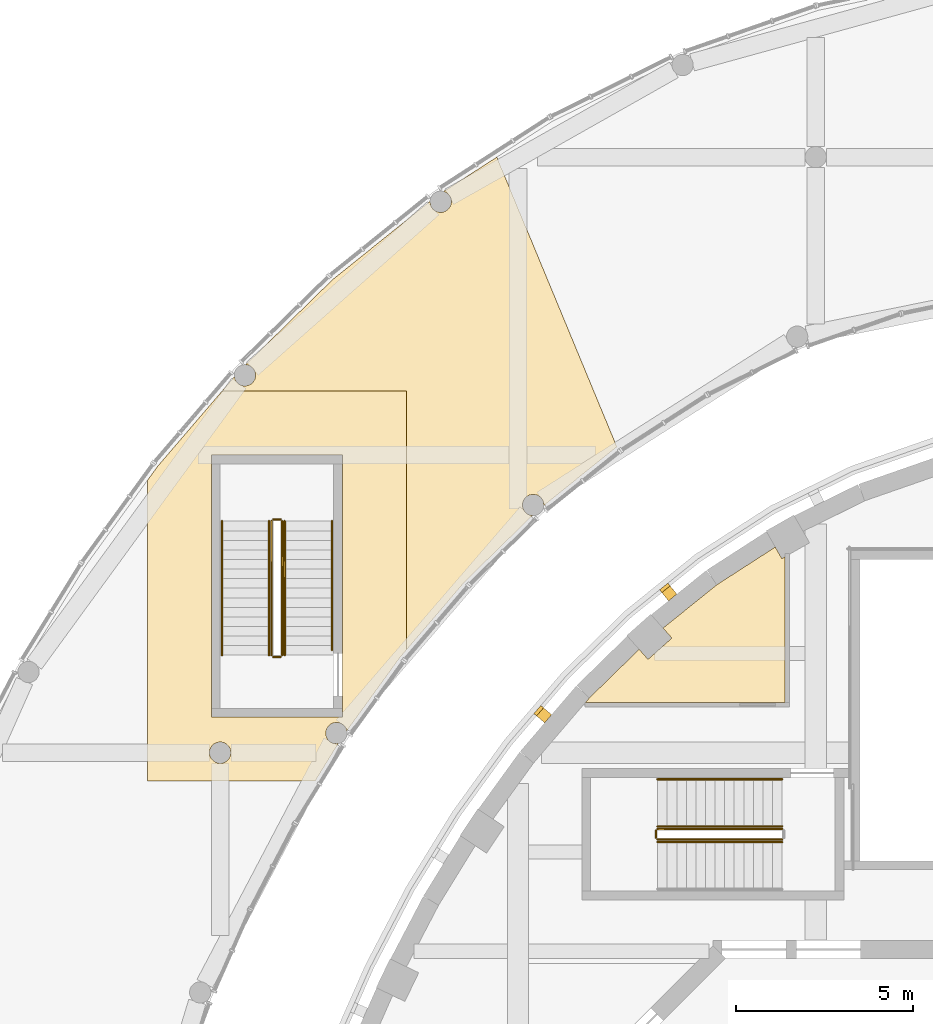
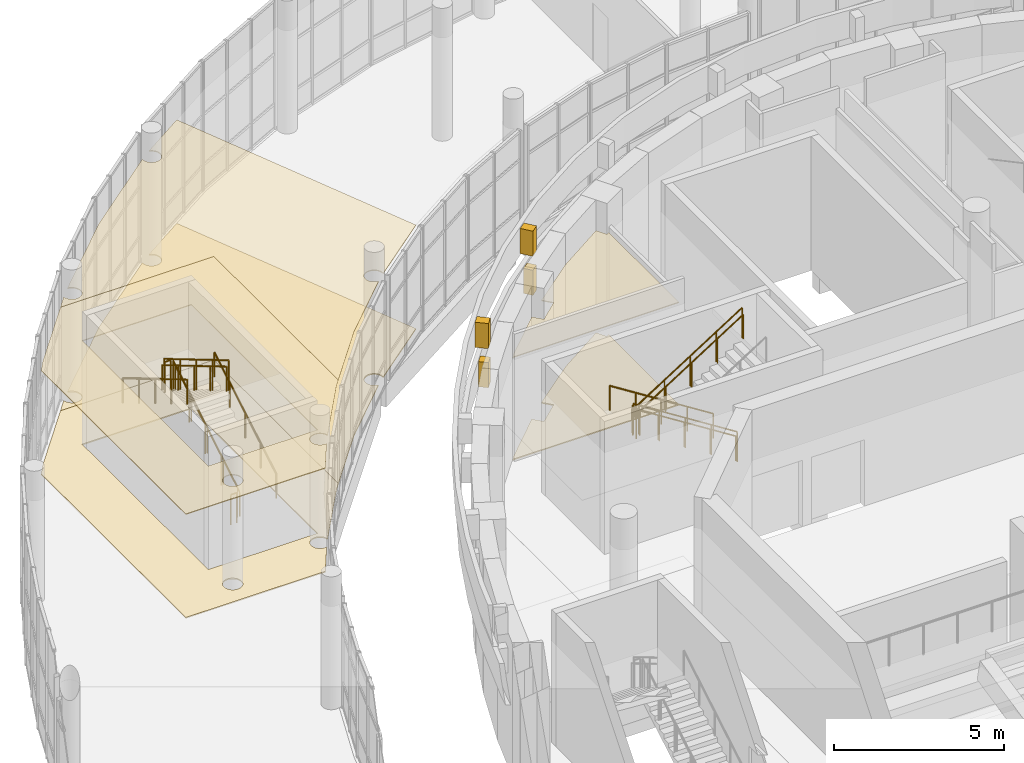
# One storey, part 109 of 119: 14 railings, 10 coverings.
"""IFC4 building model written with IfcOpenShell, lengths in metres."""

from ifc_helpers import new_model, si_unit, direction, frame, origin, origin_2d, place, context, subcontext, project, spatial, polyline, rectangle, circle, outline, extrude, material, layer, layer_set, type_object, element, save


model = new_model("IFC4")

# Units and contexts
model_context = context("Model", 3, precision=1e-05, world=origin(), true_north=direction((0.0, 1.0)))
body_context = subcontext(model_context, "Body", "Model", "MODEL_VIEW")
ifc_project = project(units=[si_unit("LENGTHUNIT", "METRE"), si_unit("AREAUNIT", "SQUARE_METRE"), si_unit("VOLUMEUNIT", "CUBIC_METRE"), si_unit("PLANEANGLEUNIT", "RADIAN"), si_unit("MASSUNIT", "GRAM", prefix="KILO")], contexts=[model_context])

# Site, building, storey
site_placement = place(None, origin())
site = spatial("IfcSite", under=ifc_project, at=site_placement, CompositionType="ELEMENT")
building_placement = place(site_placement, origin())
building = spatial("IfcBuilding", under=site, at=building_placement, Name="Larchfold Concert Hall", CompositionType="ELEMENT")
storey_placement = place(building_placement, frame((0.0, 0.0, 4.800048828125)))
storey = spatial("IfcBuildingStorey", under=building, at=storey_placement, Name="L01", CompositionType="ELEMENT", Elevation=4.800048828125)

# Coverings
ifc_material_1 = material(Name="Plasterboard ceiling lining")
ifc_layer_1 = layer(ifc_material_1, 0.030029296875)
ifc_layer_set_1 = layer_set([ifc_layer_1], Name="Plasterboard ceiling lining")
covering_type_1 = type_object("IfcCoveringType", Name="Ceiling suspended plasterboard 30", PredefinedType="CEILING", material=ifc_layer_set_1)
covering_1_placement = place(storey_placement, frame((0.0, 0.0, 3.669921875)))
element("IfcCovering", 1, at=covering_1_placement, inside=storey, type_object=covering_type_1, Name="Ceiling Foyer Bar", PredefinedType="CEILING", context=body_context, shape_type="SweptSolid", body=[
    extrude(outline(polyline([(29.89013671875, 113.314453125), (30.140869140625, 113.03271484375), (29.46875, 112.434326171875), (29.217041015625, 112.717041015625), (27.8154296875, 111.3466796875), (27.699462890625, 111.21142578125), (33.33349609375, 111.213623046875), (33.338134765625, 115.329345703125), (33.2431640625, 115.275390625), (33.057861328125, 115.600830078125), (31.41455078125, 114.541748046875), (29.89013671875, 113.314453125)])), origin(), (0.0, 0.0, 1.0), 0.030029296875),
])
covering_2_placement = place(storey_placement, frame((0.0, 0.0, 3.719970703125)))
element("IfcCovering", 2, at=covering_2_placement, inside=storey, type_object=covering_type_1, Name="Ceiling Foyer 01", PredefinedType="CEILING", context=body_context, shape_type="SweptSolid", body=[
    extrude(outline(polyline([(20.0810546875, 109.0009765625), (20.73046875, 110.056396484375), (20.638916015625, 110.0537109375), (20.563232421875, 110.073974609375), (20.495361328125, 110.113037109375), (20.43994140625, 110.16845703125), (20.418212890625, 110.201171875), (20.40087890625, 110.236328125), (20.380615234375, 110.31201171875), (20.380615234375, 110.39013671875), (20.40087890625, 110.4658203125), (20.43994140625, 110.53369140625), (20.495361328125, 110.589111328125), (20.563232421875, 110.628173828125), (20.600341796875, 110.640869140625), (20.677978515625, 110.651123046875), (20.755615234375, 110.640869140625), (20.827880859375, 110.61083984375), (20.89013671875, 110.563232421875), (20.937744140625, 110.5009765625), (20.970703125, 110.4140625), (22.4736328125, 112.489013671875), (22.6494140625, 112.694091796875), (22.649169921875, 119.9990234375), (17.451416015625, 119.999267578125), (15.6357421875, 117.87939453125), (15.350341796875, 117.485595703125), (15.350830078125, 109.0009765625), (20.0810546875, 109.0009765625)]), holes=[polyline([(17.14990234375, 110.800048828125), (17.14990234375, 118.199951171875), (20.842529296875, 118.199951171875), (20.85009765625, 118.196044921875), (20.85009765625, 110.800048828125), (17.14990234375, 110.800048828125)]), polyline([(17.21728515625, 109.56201171875), (17.161865234375, 109.617431640625), (17.14013671875, 109.650146484375), (17.122802734375, 109.685302734375), (17.1025390625, 109.760986328125), (17.1025390625, 109.839111328125), (17.110107421875, 109.877685546875), (17.122802734375, 109.914794921875), (17.161865234375, 109.982666015625), (17.21728515625, 110.0380859375), (17.25, 110.059814453125), (17.28515625, 110.0771484375), (17.36083984375, 110.097412109375), (17.43896484375, 110.097412109375), (17.4775390625, 110.08984375), (17.5146484375, 110.0771484375), (17.58251953125, 110.0380859375), (17.637939453125, 109.982666015625), (17.65966796875, 109.949951171875), (17.677001953125, 109.914794921875), (17.697265625, 109.839111328125), (17.697265625, 109.760986328125), (17.689697265625, 109.722412109375), (17.677001953125, 109.685302734375), (17.637939453125, 109.617431640625), (17.58251953125, 109.56201171875), (17.5498046875, 109.540283203125), (17.5146484375, 109.52294921875), (17.43896484375, 109.502685546875), (17.36083984375, 109.502685546875), (17.322265625, 109.51025390625), (17.28515625, 109.52294921875), (17.21728515625, 109.56201171875)])]), origin(), (0.0, 0.0, 1.0), 0.030029296875),
])
covering_3_placement = place(storey_placement, frame((0.0, 0.0, 3.719970703125)))
element("IfcCovering", 3, at=covering_3_placement, inside=storey, type_object=covering_type_1, Name="Ceiling Winter Garden Foyer North West 01", PredefinedType="CEILING", context=body_context, shape_type="SweptSolid", body=[
    extrude(outline(polyline([(17.799560546875, 120.405517578125), (17.4521484375, 120.0), (22.64794921875, 119.996337890625), (22.650146484375, 112.69482421875), (24.3076171875, 114.630126953125), (26.20703125, 116.4873046875), (26.1142578125, 116.5087890625), (26.04638671875, 116.5478515625), (25.990966796875, 116.603271484375), (25.951904296875, 116.671142578125), (25.931640625, 116.746826171875), (25.931640625, 116.824951171875), (25.951904296875, 116.900634765625), (25.96923828125, 116.935791015625), (26.016845703125, 116.998046875), (26.0791015625, 117.045654296875), (26.1142578125, 117.06298828125), (26.18994140625, 117.083251953125), (26.26806640625, 117.083251953125), (26.34375, 117.06298828125), (26.41162109375, 117.02392578125), (26.467041015625, 116.968505859375), (26.48876953125, 116.935791015625), (26.518798828125, 116.863525390625), (26.528076171875, 116.77001953125), (28.5888671875, 118.4287109375), (25.203369140625, 126.599365234375), (23.699951171875, 125.63037109375), (23.77099609375, 125.600830078125), (23.8037109375, 125.5791015625), (23.859130859375, 125.523681640625), (23.898193359375, 125.455810546875), (23.91845703125, 125.380126953125), (23.91845703125, 125.302001953125), (23.898193359375, 125.226318359375), (23.859130859375, 125.158447265625), (23.8037109375, 125.10302734375), (23.73583984375, 125.06396484375), (23.66015625, 125.043701171875), (23.58203125, 125.043701171875), (23.50634765625, 125.06396484375), (23.47119140625, 125.081298828125), (23.408935546875, 125.12890625), (23.361328125, 125.191162109375), (23.331298828125, 125.263427734375), (23.322265625, 125.35791015625), (20.566650390625, 123.14013671875), (18.1162109375, 120.743896484375), (18.174560546875, 120.73486328125), (18.211669921875, 120.72216796875), (18.279541015625, 120.68310546875), (18.3349609375, 120.627685546875), (18.356689453125, 120.594970703125), (18.38671875, 120.522705078125), (18.39697265625, 120.445068359375), (18.394287109375, 120.406005859375), (18.3740234375, 120.330322265625), (18.3349609375, 120.262451171875), (18.279541015625, 120.20703125), (18.211669921875, 120.16796875), (18.135986328125, 120.147705078125), (18.057861328125, 120.147705078125), (17.982177734375, 120.16796875), (17.914306640625, 120.20703125), (17.85888671875, 120.262451171875), (17.81982421875, 120.330322265625), (17.799560546875, 120.405517578125)])), origin(), (0.0, 0.0, 1.0), 0.030029296875),
])
ifc_material_2 = material(Name="Polished terrazzo")
ifc_layer_2 = layer(ifc_material_2, 0.0400390625)
ifc_layer_set_2 = layer_set([ifc_layer_2], Name="Polished terrazzo")
covering_type_2 = type_object("IfcCoveringType", Name="Floor finish terrazzo 40", PredefinedType="FLOORING", material=ifc_layer_set_2)
covering_4_placement = place(storey_placement, origin())
element("IfcCovering", 4, at=covering_4_placement, inside=storey, type_object=covering_type_2, Name="Floor finish Foyer Bar", PredefinedType="FLOORING", context=body_context, shape_type="SweptSolid", body=[
    extrude(outline(polyline([(29.89013671875, 113.314453125), (30.140869140625, 113.03271484375), (29.46875, 112.434326171875), (29.217041015625, 112.717041015625), (27.8154296875, 111.3466796875), (27.699462890625, 111.21142578125), (33.33349609375, 111.213623046875), (33.338134765625, 115.329345703125), (33.2431640625, 115.275390625), (33.057861328125, 115.600830078125), (31.41455078125, 114.541748046875), (29.89013671875, 113.314453125)])), origin(), (0.0, 0.0, 1.0), 0.0400390625),
])
covering_5_placement = place(storey_placement, origin())
element("IfcCovering", 5, at=covering_5_placement, inside=storey, type_object=covering_type_2, Name="Floor finish Foyer 01", PredefinedType="FLOORING", context=body_context, shape_type="SweptSolid", body=[
    extrude(outline(polyline([(20.0810546875, 109.0009765625), (20.73046875, 110.056396484375), (20.638916015625, 110.0537109375), (20.563232421875, 110.073974609375), (20.495361328125, 110.113037109375), (20.43994140625, 110.16845703125), (20.418212890625, 110.201171875), (20.40087890625, 110.236328125), (20.380615234375, 110.31201171875), (20.380615234375, 110.39013671875), (20.40087890625, 110.4658203125), (20.43994140625, 110.53369140625), (20.495361328125, 110.589111328125), (20.563232421875, 110.628173828125), (20.600341796875, 110.640869140625), (20.677978515625, 110.651123046875), (20.755615234375, 110.640869140625), (20.827880859375, 110.61083984375), (20.89013671875, 110.563232421875), (20.937744140625, 110.5009765625), (20.970703125, 110.4140625), (22.4736328125, 112.489013671875), (22.6494140625, 112.694091796875), (22.649169921875, 119.9990234375), (17.451416015625, 119.999267578125), (15.6357421875, 117.87939453125), (15.350341796875, 117.485595703125), (15.350830078125, 109.0009765625), (20.0810546875, 109.0009765625)]), holes=[polyline([(17.14990234375, 110.800048828125), (17.14990234375, 118.199951171875), (20.842529296875, 118.199951171875), (20.85009765625, 118.196044921875), (20.85009765625, 110.800048828125), (17.14990234375, 110.800048828125)]), polyline([(17.21728515625, 109.56201171875), (17.161865234375, 109.617431640625), (17.14013671875, 109.650146484375), (17.122802734375, 109.685302734375), (17.1025390625, 109.760986328125), (17.1025390625, 109.839111328125), (17.110107421875, 109.877685546875), (17.122802734375, 109.914794921875), (17.161865234375, 109.982666015625), (17.21728515625, 110.0380859375), (17.25, 110.059814453125), (17.28515625, 110.0771484375), (17.36083984375, 110.097412109375), (17.43896484375, 110.097412109375), (17.4775390625, 110.08984375), (17.5146484375, 110.0771484375), (17.58251953125, 110.0380859375), (17.637939453125, 109.982666015625), (17.65966796875, 109.949951171875), (17.677001953125, 109.914794921875), (17.697265625, 109.839111328125), (17.697265625, 109.760986328125), (17.689697265625, 109.722412109375), (17.677001953125, 109.685302734375), (17.637939453125, 109.617431640625), (17.58251953125, 109.56201171875), (17.5498046875, 109.540283203125), (17.5146484375, 109.52294921875), (17.43896484375, 109.502685546875), (17.36083984375, 109.502685546875), (17.322265625, 109.51025390625), (17.28515625, 109.52294921875), (17.21728515625, 109.56201171875)])]), origin(), (0.0, 0.0, 1.0), 0.0400390625),
])
covering_6_placement = place(storey_placement, origin())
element("IfcCovering", 6, at=covering_6_placement, inside=storey, type_object=covering_type_2, Name="Floor finish Winter Garden Foyer North West 01", PredefinedType="FLOORING", context=body_context, shape_type="SweptSolid", body=[
    extrude(outline(polyline([(17.799560546875, 120.405517578125), (17.4521484375, 120.0), (22.64794921875, 119.996337890625), (22.650146484375, 112.69482421875), (24.3076171875, 114.630126953125), (26.20703125, 116.4873046875), (26.1142578125, 116.5087890625), (26.04638671875, 116.5478515625), (25.990966796875, 116.603271484375), (25.951904296875, 116.671142578125), (25.931640625, 116.746826171875), (25.931640625, 116.824951171875), (25.951904296875, 116.900634765625), (25.96923828125, 116.935791015625), (26.016845703125, 116.998046875), (26.0791015625, 117.045654296875), (26.1142578125, 117.06298828125), (26.18994140625, 117.083251953125), (26.26806640625, 117.083251953125), (26.34375, 117.06298828125), (26.41162109375, 117.02392578125), (26.467041015625, 116.968505859375), (26.48876953125, 116.935791015625), (26.518798828125, 116.863525390625), (26.528076171875, 116.77001953125), (28.5888671875, 118.4287109375), (25.203369140625, 126.599365234375), (23.699951171875, 125.63037109375), (23.77099609375, 125.600830078125), (23.8037109375, 125.5791015625), (23.859130859375, 125.523681640625), (23.898193359375, 125.455810546875), (23.91845703125, 125.380126953125), (23.91845703125, 125.302001953125), (23.898193359375, 125.226318359375), (23.859130859375, 125.158447265625), (23.8037109375, 125.10302734375), (23.73583984375, 125.06396484375), (23.66015625, 125.043701171875), (23.58203125, 125.043701171875), (23.50634765625, 125.06396484375), (23.47119140625, 125.081298828125), (23.408935546875, 125.12890625), (23.361328125, 125.191162109375), (23.331298828125, 125.263427734375), (23.322265625, 125.35791015625), (20.566650390625, 123.14013671875), (18.1162109375, 120.743896484375), (18.174560546875, 120.73486328125), (18.211669921875, 120.72216796875), (18.279541015625, 120.68310546875), (18.3349609375, 120.627685546875), (18.356689453125, 120.594970703125), (18.38671875, 120.522705078125), (18.39697265625, 120.445068359375), (18.394287109375, 120.406005859375), (18.3740234375, 120.330322265625), (18.3349609375, 120.262451171875), (18.279541015625, 120.20703125), (18.211669921875, 120.16796875), (18.135986328125, 120.147705078125), (18.057861328125, 120.147705078125), (17.982177734375, 120.16796875), (17.914306640625, 120.20703125), (17.85888671875, 120.262451171875), (17.81982421875, 120.330322265625), (17.799560546875, 120.405517578125)])), origin(), (0.0, 0.0, 1.0), 0.0400390625),
])
ifc_material_3 = material(Name="Galvanised steel bracket", Category="steel")
ifc_layer_3 = layer(ifc_material_3, 0.300048828125)
ifc_layer_set_3 = layer_set([ifc_layer_3], Name="Galvanised steel bracket")
covering_type_3 = type_object("IfcCoveringType", Name="Ring support bracket", PredefinedType="CLADDING", material=ifc_layer_set_3)
for number, where, z_axis, x_axis, name in (
    (7, (30.06982421875, 114.293701171875, 3.35009765625), (0.0, 0.0, 1.0), (-0.626932967102, 0.77907320244, 0.0), "Ring bracket BR-R01-13"),
    (8, (26.537841796875, 110.854248046875, 3.35009765625), (0.0, 0.0, 1.0), (-0.759502249096, 0.650504676093, 0.0), "Ring bracket BR-R01-14"),
):
    element("IfcCovering", number, at=place(storey_placement, frame(where, z_axis=z_axis, x_axis=x_axis)), inside=storey, type_object=covering_type_3, Name=name, PredefinedType="CLADDING", context=body_context, shape_type="SweptSolid", body=[
        extrude(rectangle(XDim=0.300048828125, YDim=0.300048828125, at=origin_2d()), origin(), (0.0, 0.0, 1.0), 0.89990234375),
    ])
for number, where, z_axis, x_axis, name in (
    (9, (30.03857421875, 114.332763671875, 4.75), (0.0, 0.0, 1.0), (-0.626932967102, 0.77907320244, 0.0), "Ring bracket BR-R02-13"),
    (10, (26.499755859375, 110.88671875, 4.75), (0.0, 0.0, 1.0), (-0.759502249096, 0.650504676093, 0.0), "Ring bracket BR-R02-14"),
):
    element("IfcCovering", number, at=place(storey_placement, frame(where, z_axis=z_axis, x_axis=x_axis)), inside=storey, type_object=covering_type_3, Name=name, PredefinedType="CLADDING", context=body_context, shape_type="SweptSolid", body=[
        extrude(rectangle(XDim=0.39990234375, YDim=0.300048828125, at=origin_2d()), origin(), (0.0, 0.0, 1.0), 0.89990234375),
    ])

# Railings
ifc_material_4 = material(Name="Stainless steel balustrade", Category="steel")
railing_type_1 = type_object("IfcRailingType", Name="Stair guard 1100", PredefinedType="GUARDRAIL", material=ifc_material_4)
railing_1_placement = place(storey_placement, frame((33.25, 107.650146484375, 0.17138671875)))
element("IfcRailing", 11, at=railing_1_placement, inside=storey, type_object=railing_type_1, Name="Guard GR0009", PredefinedType="GUARDRAIL", context=body_context, shape_type="SweptSolid", body=[
    extrude(circle(Radius=0.02392578125, at=origin_2d()), frame((0.0, 0.0, 1.076171875), z_axis=(-0.844219563411, 0.0, 0.53599750816), x_axis=(0.0, -1.0, 0.0)), (0.0, 0.0, 1.0), 4.15771484375),
    extrude(circle(Radius=0.02099609375, at=origin_2d()), origin(), (0.0, 0.0, 1.0), 1.052001953125),
    extrude(circle(Radius=0.02099609375, at=origin_2d()), frame((-0.87744140625, 0.0, 0.55712890625)), (0.0, 0.0, 1.0), 1.052001953125),
    extrude(circle(Radius=0.02099609375, at=origin_2d()), frame((-1.7548828125, 0.0, 1.1142578125)), (0.0, 0.0, 1.0), 1.052001953125),
    extrude(circle(Radius=0.02099609375, at=origin_2d()), frame((-2.632568359375, 0.0, 1.67138671875)), (0.0, 0.0, 1.0), 1.052001953125),
    extrude(circle(Radius=0.02099609375, at=origin_2d()), frame((-3.510009765625, 0.0, 2.228515625)), (0.0, 0.0, 1.0), 1.052001953125),
])
railing_2_placement = place(storey_placement, frame((29.68994140625, 107.60009765625, 2.39990234375)))
element("IfcRailing", 12, at=railing_2_placement, inside=storey, type_object=railing_type_1, Name="Guard GR0010", PredefinedType="GUARDRAIL", context=body_context, shape_type="SweptSolid", body=[
    extrude(circle(Radius=0.02392578125, at=origin_2d()), frame((0.0, 0.0, 1.076171875), z_axis=(0.0, -1.0, 0.0), x_axis=(1.0, 0.0, 0.0)), (0.0, 0.0, 1.0), 0.199951171875),
    extrude(circle(Radius=0.02099609375, at=origin_2d()), origin(), (0.0, 0.0, 1.0), 1.052001953125),
    extrude(circle(Radius=0.02099609375, at=origin_2d()), frame((0.0, -0.199951171875, 0.0)), (0.0, 0.0, 1.0), 1.052001953125),
])
railing_3_placement = place(storey_placement, frame((29.739990234375, 107.35009765625, 2.5712890625)))
element("IfcRailing", 13, at=railing_3_placement, inside=storey, type_object=railing_type_1, Name="Guard GR0011", PredefinedType="GUARDRAIL", context=body_context, shape_type="SweptSolid", body=[
    extrude(circle(Radius=0.02392578125, at=origin_2d()), frame((0.0, 0.0, 1.076171875), z_axis=(0.844192992368, 0.0, 0.536039356425), x_axis=(0.0, 1.0, 0.0)), (0.0, 0.0, 1.0), 4.15771484375),
    extrude(circle(Radius=0.02099609375, at=origin_2d()), origin(), (0.0, 0.0, 1.0), 1.052001953125),
    extrude(circle(Radius=0.02099609375, at=origin_2d()), frame((0.87744140625, 0.0, 0.55712890625)), (0.0, 0.0, 1.0), 1.052001953125),
    extrude(circle(Radius=0.02099609375, at=origin_2d()), frame((1.7548828125, 0.0, 1.1142578125)), (0.0, 0.0, 1.0), 1.052001953125),
    extrude(circle(Radius=0.02099609375, at=origin_2d()), frame((2.632568359375, 0.0, 1.671630859375)), (0.0, 0.0, 1.0), 1.052001953125),
    extrude(circle(Radius=0.02099609375, at=origin_2d()), frame((3.510009765625, 0.0, 2.228759765625)), (0.0, 0.0, 1.0), 1.052001953125),
])
railing_4_placement = place(storey_placement, frame((19.150146484375, 112.550048828125, 0.159912109375)))
element("IfcRailing", 14, at=railing_4_placement, inside=storey, type_object=railing_type_1, Name="Guard GR0093", PredefinedType="GUARDRAIL", context=body_context, shape_type="SweptSolid", body=[
    extrude(circle(Radius=0.02392578125, at=origin_2d()), frame((0.0, 0.0, 1.076171875), z_axis=(0.0, 0.860294241299, 0.509797821089), x_axis=(-1.0, 0.0, 0.0)), (0.0, 0.0, 1.0), 4.393798828125),
    extrude(circle(Radius=0.02099609375, at=origin_2d()), origin(), (0.0, 0.0, 1.0), 1.052001953125),
    extrude(circle(Radius=0.02099609375, at=origin_2d()), frame((0.0, 0.945068359375, 0.56005859375)), (0.0, 0.0, 1.0), 1.052001953125),
    extrude(circle(Radius=0.02099609375, at=origin_2d()), frame((0.0, 1.89013671875, 1.1201171875)), (0.0, 0.0, 1.0), 1.052001953125),
    extrude(circle(Radius=0.02099609375, at=origin_2d()), frame((0.0, 2.8349609375, 1.679931640625)), (0.0, 0.0, 1.0), 1.052001953125),
    extrude(circle(Radius=0.02099609375, at=origin_2d()), frame((0.0, 3.780029296875, 2.239990234375)), (0.0, 0.0, 1.0), 1.052001953125),
])
railing_5_placement = place(storey_placement, frame((19.10009765625, 116.380126953125, 2.39990234375)))
element("IfcRailing", 15, at=railing_5_placement, inside=storey, type_object=railing_type_1, Name="Guard GR0094", PredefinedType="GUARDRAIL", context=body_context, shape_type="SweptSolid", body=[
    extrude(circle(Radius=0.02392578125, at=origin_2d()), frame((0.0, 0.0, 1.076171875), z_axis=(-1.0, 0.0, 0.0), x_axis=(0.0, -1.0, 0.0)), (0.0, 0.0, 1.0), 0.199951171875),
    extrude(circle(Radius=0.02099609375, at=origin_2d()), origin(), (0.0, 0.0, 1.0), 1.052001953125),
    extrude(circle(Radius=0.02099609375, at=origin_2d()), frame((-0.199951171875, 0.0, 0.0)), (0.0, 0.0, 1.0), 1.052001953125),
])
railing_6_placement = place(storey_placement, frame((18.85009765625, 116.330078125, 2.56005859375)))
element("IfcRailing", 16, at=railing_6_placement, inside=storey, type_object=railing_type_1, Name="Guard GR0095", PredefinedType="GUARDRAIL", context=body_context, shape_type="SweptSolid", body=[
    extrude(circle(Radius=0.02392578125, at=origin_2d()), frame((0.0, 0.0, 1.076171875), z_axis=(0.0, -0.860294241299, 0.509797821089), x_axis=(1.0, 0.0, 0.0)), (0.0, 0.0, 1.0), 4.393798828125),
    extrude(circle(Radius=0.02099609375, at=origin_2d()), origin(), (0.0, 0.0, 1.0), 1.052001953125),
    extrude(circle(Radius=0.02099609375, at=origin_2d()), frame((0.0, -0.945068359375, 0.56005859375)), (0.0, 0.0, 1.0), 1.052001953125),
    extrude(circle(Radius=0.02099609375, at=origin_2d()), frame((0.0, -1.89013671875, 1.1201171875)), (0.0, 0.0, 1.0), 1.052001953125),
    extrude(circle(Radius=0.02099609375, at=origin_2d()), frame((0.0, -2.8349609375, 1.679931640625)), (0.0, 0.0, 1.0), 1.052001953125),
    extrude(circle(Radius=0.02099609375, at=origin_2d()), frame((0.0, -3.780029296875, 2.239990234375)), (0.0, 0.0, 1.0), 1.052001953125),
])
railing_7_placement = place(storey_placement, frame((19.10009765625, 112.5, 0.0)))
element("IfcRailing", 17, at=railing_7_placement, inside=storey, type_object=railing_type_1, Name="Guard GR0096", PredefinedType="GUARDRAIL", context=body_context, shape_type="SweptSolid", body=[
    extrude(circle(Radius=0.02392578125, at=origin_2d()), frame((0.0, 0.0, 1.076171875), z_axis=(-1.0, 0.0, 0.0), x_axis=(0.0, -1.0, 0.0)), (0.0, 0.0, 1.0), 0.199951171875),
    extrude(circle(Radius=0.02099609375, at=origin_2d()), origin(), (0.0, 0.0, 1.0), 1.052001953125),
    extrude(circle(Radius=0.02099609375, at=origin_2d()), frame((-0.199951171875, 0.0, 0.0)), (0.0, 0.0, 1.0), 1.052001953125),
])
ifc_material_5 = material(Name="Stainless steel handrail", Category="steel")
railing_type_2 = type_object("IfcRailingType", Name="Stair handrail 900", PredefinedType="HANDRAIL", material=ifc_material_5)
for number, where, name in (
    (18, (33.25, 109.050048828125, 0.17138671875), "Handrail HR0009"),
    (19, (33.25, 107.72021484375, 0.17138671875), "Handrail HR0011"),
):
    element("IfcRailing", number, at=place(storey_placement, frame(where)), inside=storey, type_object=railing_type_2, Name=name, PredefinedType="HANDRAIL", context=body_context, shape_type="SweptSolid", body=[
        extrude(circle(Radius=0.02392578125, at=origin_2d()), frame((0.0, 0.0, 0.8759765625), z_axis=(-0.844219563411, 0.0, 0.53599750816), x_axis=(0.0, -1.0, 0.0)), (0.0, 0.0, 1.0), 4.15771484375),
        extrude(circle(Radius=0.02099609375, at=origin_2d()), origin(), (0.0, 0.0, 1.0), 0.851806640625),
        extrude(circle(Radius=0.02099609375, at=origin_2d()), frame((-0.87744140625, 0.0, 0.55712890625)), (0.0, 0.0, 1.0), 0.851806640625),
        extrude(circle(Radius=0.02099609375, at=origin_2d()), frame((-1.7548828125, 0.0, 1.1142578125)), (0.0, 0.0, 1.0), 0.851806640625),
        extrude(circle(Radius=0.02099609375, at=origin_2d()), frame((-2.632568359375, 0.0, 1.67138671875)), (0.0, 0.0, 1.0), 0.851806640625),
        extrude(circle(Radius=0.02099609375, at=origin_2d()), frame((-3.510009765625, 0.0, 2.228515625)), (0.0, 0.0, 1.0), 0.851806640625),
    ])
railing_8_placement = place(storey_placement, frame((29.739990234375, 107.280029296875, 2.5712890625)))
element("IfcRailing", 20, at=railing_8_placement, inside=storey, type_object=railing_type_2, Name="Handrail HR0012", PredefinedType="HANDRAIL", context=body_context, shape_type="SweptSolid", body=[
    extrude(circle(Radius=0.02392578125, at=origin_2d()), frame((0.0, 0.0, 0.8759765625), z_axis=(0.844192992368, 0.0, 0.536039356425), x_axis=(0.0, 1.0, 0.0)), (0.0, 0.0, 1.0), 4.15771484375),
    extrude(circle(Radius=0.02099609375, at=origin_2d()), origin(), (0.0, 0.0, 1.0), 0.851806640625),
    extrude(circle(Radius=0.02099609375, at=origin_2d()), frame((0.87744140625, 0.0, 0.55712890625)), (0.0, 0.0, 1.0), 0.851806640625),
    extrude(circle(Radius=0.02099609375, at=origin_2d()), frame((1.7548828125, 0.0, 1.1142578125)), (0.0, 0.0, 1.0), 0.851806640625),
    extrude(circle(Radius=0.02099609375, at=origin_2d()), frame((2.632568359375, 0.0, 1.671630859375)), (0.0, 0.0, 1.0), 0.851806640625),
    extrude(circle(Radius=0.02099609375, at=origin_2d()), frame((3.510009765625, 0.0, 2.228759765625)), (0.0, 0.0, 1.0), 0.851806640625),
])
railing_9_placement = place(storey_placement, frame((20.550048828125, 112.7001953125, 0.248779296875)))
element("IfcRailing", 21, at=railing_9_placement, inside=storey, type_object=railing_type_2, Name="Handrail HR0089", PredefinedType="HANDRAIL", context=body_context, shape_type="SweptSolid", body=[
    extrude(circle(Radius=0.02392578125, at=origin_2d()), frame((0.0, 0.0, 0.8759765625), z_axis=(0.0, 0.860283074592, 0.509816664665), x_axis=(-1.0, 0.0, 0.0)), (0.0, 0.0, 1.0), 4.219482421875),
    extrude(circle(Radius=0.02099609375, at=origin_2d()), origin(), (0.0, 0.0, 1.0), 0.851806640625),
    extrude(circle(Radius=0.02099609375, at=origin_2d()), frame((0.0, 0.907470703125, 0.537841796875)), (0.0, 0.0, 1.0), 0.851806640625),
    extrude(circle(Radius=0.02099609375, at=origin_2d()), frame((0.0, 1.81494140625, 1.07568359375)), (0.0, 0.0, 1.0), 0.851806640625),
    extrude(circle(Radius=0.02099609375, at=origin_2d()), frame((0.0, 2.722412109375, 1.61328125)), (0.0, 0.0, 1.0), 0.851806640625),
    extrude(circle(Radius=0.02099609375, at=origin_2d()), frame((0.0, 3.6298828125, 2.151123046875)), (0.0, 0.0, 1.0), 0.851806640625),
])
railing_10_placement = place(storey_placement, frame((17.4501953125, 116.330078125, 2.56005859375)))
element("IfcRailing", 22, at=railing_10_placement, inside=storey, type_object=railing_type_2, Name="Handrail HR0090", PredefinedType="HANDRAIL", context=body_context, shape_type="SweptSolid", body=[
    extrude(circle(Radius=0.02392578125, at=origin_2d()), frame((0.0, 0.0, 0.8759765625), z_axis=(0.0, -0.860294241299, 0.509797821089), x_axis=(1.0, 0.0, 0.0)), (0.0, 0.0, 1.0), 4.393798828125),
    extrude(circle(Radius=0.02099609375, at=origin_2d()), origin(), (0.0, 0.0, 1.0), 0.851806640625),
    extrude(circle(Radius=0.02099609375, at=origin_2d()), frame((0.0, -0.945068359375, 0.56005859375)), (0.0, 0.0, 1.0), 0.851806640625),
    extrude(circle(Radius=0.02099609375, at=origin_2d()), frame((0.0, -1.89013671875, 1.1201171875)), (0.0, 0.0, 1.0), 0.851806640625),
    extrude(circle(Radius=0.02099609375, at=origin_2d()), frame((0.0, -2.8349609375, 1.679931640625)), (0.0, 0.0, 1.0), 0.851806640625),
    extrude(circle(Radius=0.02099609375, at=origin_2d()), frame((0.0, -3.780029296875, 2.239990234375)), (0.0, 0.0, 1.0), 0.851806640625),
])
railing_11_placement = place(storey_placement, frame((19.22021484375, 112.550048828125, 0.159912109375)))
element("IfcRailing", 23, at=railing_11_placement, inside=storey, type_object=railing_type_2, Name="Handrail HR0091", PredefinedType="HANDRAIL", context=body_context, shape_type="SweptSolid", body=[
    extrude(circle(Radius=0.02392578125, at=origin_2d()), frame((0.0, 0.0, 0.8759765625), z_axis=(0.0, 0.860294241299, 0.509797821089), x_axis=(-1.0, 0.0, 0.0)), (0.0, 0.0, 1.0), 4.393798828125),
    extrude(circle(Radius=0.02099609375, at=origin_2d()), origin(), (0.0, 0.0, 1.0), 0.851806640625),
    extrude(circle(Radius=0.02099609375, at=origin_2d()), frame((0.0, 0.945068359375, 0.56005859375)), (0.0, 0.0, 1.0), 0.851806640625),
    extrude(circle(Radius=0.02099609375, at=origin_2d()), frame((0.0, 1.89013671875, 1.1201171875)), (0.0, 0.0, 1.0), 0.851806640625),
    extrude(circle(Radius=0.02099609375, at=origin_2d()), frame((0.0, 2.8349609375, 1.679931640625)), (0.0, 0.0, 1.0), 0.851806640625),
    extrude(circle(Radius=0.02099609375, at=origin_2d()), frame((0.0, 3.780029296875, 2.239990234375)), (0.0, 0.0, 1.0), 0.851806640625),
])
railing_12_placement = place(storey_placement, frame((18.780029296875, 116.330078125, 2.56005859375)))
element("IfcRailing", 24, at=railing_12_placement, inside=storey, type_object=railing_type_2, Name="Handrail HR0092", PredefinedType="HANDRAIL", context=body_context, shape_type="SweptSolid", body=[
    extrude(circle(Radius=0.02392578125, at=origin_2d()), frame((0.0, 0.0, 0.8759765625), z_axis=(0.0, -0.860294241299, 0.509797821089), x_axis=(1.0, 0.0, 0.0)), (0.0, 0.0, 1.0), 4.393798828125),
    extrude(circle(Radius=0.02099609375, at=origin_2d()), origin(), (0.0, 0.0, 1.0), 0.851806640625),
    extrude(circle(Radius=0.02099609375, at=origin_2d()), frame((0.0, -0.945068359375, 0.56005859375)), (0.0, 0.0, 1.0), 0.851806640625),
    extrude(circle(Radius=0.02099609375, at=origin_2d()), frame((0.0, -1.89013671875, 1.1201171875)), (0.0, 0.0, 1.0), 0.851806640625),
    extrude(circle(Radius=0.02099609375, at=origin_2d()), frame((0.0, -2.8349609375, 1.679931640625)), (0.0, 0.0, 1.0), 0.851806640625),
    extrude(circle(Radius=0.02099609375, at=origin_2d()), frame((0.0, -3.780029296875, 2.239990234375)), (0.0, 0.0, 1.0), 0.851806640625),
])

save(model, "model.ifc")
